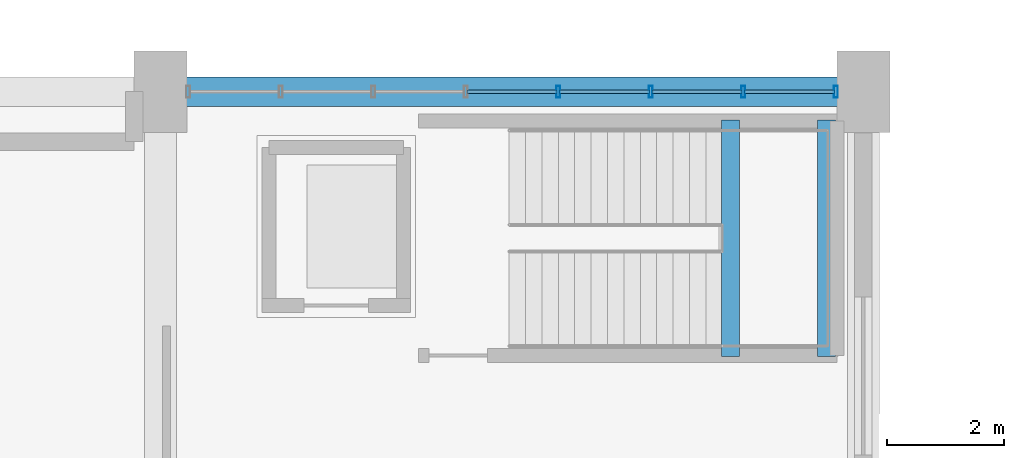
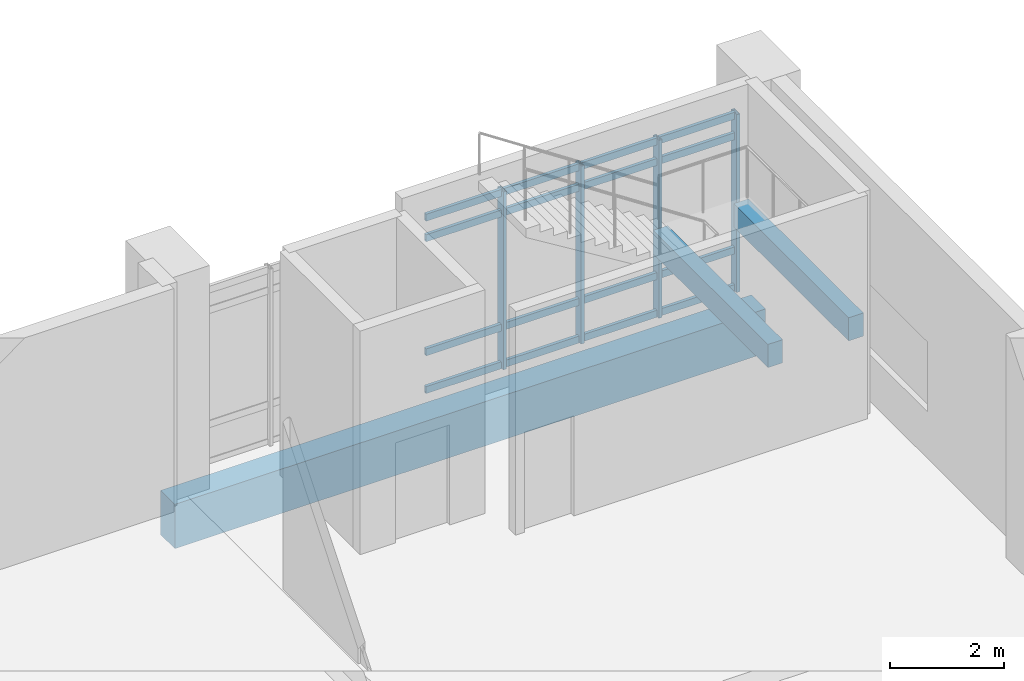
# One storey, part 28 of 87: 20 members, 3 beams, 1 element without a shape of its own.
"""IFC4 building model written with IfcOpenShell, lengths in metres."""

from ifc_helpers import new_model, si_unit, direction, frame, origin, origin_2d, place, context, subcontext, project, spatial, rectangle, hollow_rectangle, extrude, material, layer, layer_set, material_profile, profile_set, type_object, element, aggregate, save


model = new_model("IFC4")

# Units and contexts
model_context = context("Model", 3, precision=1e-05, world=origin(), true_north=direction((0.0, 1.0)))
body_context = subcontext(model_context, "Body", "Model", "MODEL_VIEW")
ifc_project = project(units=[si_unit("LENGTHUNIT", "METRE"), si_unit("AREAUNIT", "SQUARE_METRE"), si_unit("VOLUMEUNIT", "CUBIC_METRE"), si_unit("PLANEANGLEUNIT", "RADIAN"), si_unit("MASSUNIT", "GRAM", prefix="KILO")], contexts=[model_context])

# Site, building, storey
site_placement = place(None, origin())
site = spatial("IfcSite", under=ifc_project, at=site_placement, CompositionType="ELEMENT")
building_placement = place(site_placement, origin())
building = spatial("IfcBuilding", under=site, at=building_placement, Name="Mersad Railyard Sports Hall", CompositionType="ELEMENT")
storey_placement = place(building_placement, origin())
storey = spatial("IfcBuildingStorey", under=building, at=storey_placement, Name="L00", CompositionType="ELEMENT", Elevation=0.0)

# Curtain wall, members
ifc_material_1 = material(Name="Aluminium 6063-T6", Category="aluminium")
ifc_layer = layer(ifc_material_1, 0.199951171875)
ifc_layer_set = layer_set([ifc_layer], Name="Aluminium 6063-T6")
curtain_wall_type = type_object("IfcCurtainWallType", Name="ARC-CW-CW01", PredefinedType="USERDEFINED", material=ifc_layer_set)
curtain_wall_placement = place(storey_placement, origin())
curtain_wall = element("IfcCurtainWall", 1, at=curtain_wall_placement, inside=storey, type_object=curtain_wall_type, Name="Curtain wall CW01-0021", ObjectType="CURTAIN WALL", PredefinedType="USERDEFINED")
ifc_material_profile_1 = material_profile(ifc_material_1, hollow_rectangle(XDim=0.06494140625, YDim=0.199951171875, WallThickness=0.0048828125, at=origin_2d()), Name="AL MULLION 65x200x5")
ifc_profile_set_1 = profile_set([ifc_material_profile_1], Name="Aluminium 6063-T6")
member_type_1 = type_object("IfcMemberType", Name="ARC-CW-MUL02", PredefinedType="MULLION", material=ifc_profile_set_1)
member_1_placement = place(storey_placement, frame((85.7900390625, 53.5, -0.02001953125), z_axis=(0.0, 0.0, 1.0), x_axis=(1.0, 0.0, 0.0)))
member_1 = element("IfcMember", 2, at=member_1_placement, type_object=member_type_1, Name="CW01 Mullion 5", PredefinedType="MULLION", context=body_context, shape_type="SweptSolid", body=[
    extrude(hollow_rectangle(XDim=0.06494140625, YDim=0.199951171875, WallThickness=0.0048828125, at=origin_2d()), origin(), (0.0, 0.0, 1.0), 3.820068359375),
])
member_2_placement = place(storey_placement, frame((87.3701171875, 53.5, -0.02001953125), z_axis=(0.0, 0.0, 1.0), x_axis=(1.0, 0.0, 0.0)))
member_2 = element("IfcMember", 3, at=member_2_placement, type_object=member_type_1, Name="CW01 Mullion 6", PredefinedType="MULLION", context=body_context, shape_type="SweptSolid", body=[
    extrude(hollow_rectangle(XDim=0.06494140625, YDim=0.199951171875, WallThickness=0.0048828125, at=origin_2d()), origin(), (0.0, 0.0, 1.0), 3.820068359375),
])
member_3_placement = place(storey_placement, frame((88.949951171875, 53.5, -0.02001953125), z_axis=(0.0, 0.0, 1.0), x_axis=(1.0, 0.0, 0.0)))
member_3 = element("IfcMember", 4, at=member_3_placement, type_object=member_type_1, Name="CW01 Mullion 7", PredefinedType="MULLION", context=body_context, shape_type="SweptSolid", body=[
    extrude(hollow_rectangle(XDim=0.06494140625, YDim=0.199951171875, WallThickness=0.0048828125, at=origin_2d()), origin(), (0.0, 0.0, 1.0), 3.820068359375),
])
member_4_placement = place(storey_placement, frame((90.530029296875, 53.5, -0.02001953125), z_axis=(0.0, 0.0, 1.0), x_axis=(1.0, 0.0, 0.0)))
member_4 = element("IfcMember", 5, at=member_4_placement, type_object=member_type_1, Name="CW01 Mullion 8", PredefinedType="MULLION", context=body_context, shape_type="SweptSolid", body=[
    extrude(hollow_rectangle(XDim=0.06494140625, YDim=0.199951171875, WallThickness=0.0048828125, at=origin_2d()), origin(), (0.0, 0.0, 1.0), 3.820068359375),
])
ifc_material_profile_2 = material_profile(ifc_material_1, hollow_rectangle(XDim=0.06494140625, YDim=0.14990234375, WallThickness=0.00439453125, at=origin_2d()), Name="AL TRANSOM 65x150x4.5")
ifc_profile_set_2 = profile_set([ifc_material_profile_2], Name="Aluminium 6063-T6")
member_type_2 = type_object("IfcMemberType", Name="ARC-CW-TRN02", PredefinedType="USERDEFINED", material=ifc_profile_set_2)
member_5_placement = place(storey_placement, frame((84.22998046875, 53.5, 0.0400390625), z_axis=(1.0, 0.0, 0.0), x_axis=(0.0, 1.0, 0.0)))
member_5 = element("IfcMember", 6, at=member_5_placement, type_object=member_type_2, Name="CW01 Transom 1-4", ObjectType="TRANSOM", PredefinedType="USERDEFINED", context=body_context, shape_type="SweptSolid", body=[
    extrude(hollow_rectangle(XDim=0.06494140625, YDim=0.14990234375, WallThickness=0.00439453125, at=origin_2d()), origin(), (0.0, 0.0, 1.0), 1.5400390625),
])
member_6_placement = place(storey_placement, frame((85.81005859375, 53.5, 0.0400390625), z_axis=(1.0, 0.0, 0.0), x_axis=(0.0, 1.0, 0.0)))
member_6 = element("IfcMember", 7, at=member_6_placement, type_object=member_type_2, Name="CW01 Transom 1-5", ObjectType="TRANSOM", PredefinedType="USERDEFINED", context=body_context, shape_type="SweptSolid", body=[
    extrude(hollow_rectangle(XDim=0.06494140625, YDim=0.14990234375, WallThickness=0.00439453125, at=origin_2d()), origin(), (0.0, 0.0, 1.0), 1.5400390625),
])
member_7_placement = place(storey_placement, frame((87.389892578125, 53.5, 0.0400390625), z_axis=(1.0, 0.0, 0.0), x_axis=(0.0, 1.0, 0.0)))
member_7 = element("IfcMember", 8, at=member_7_placement, type_object=member_type_2, Name="CW01 Transom 1-6", ObjectType="TRANSOM", PredefinedType="USERDEFINED", context=body_context, shape_type="SweptSolid", body=[
    extrude(hollow_rectangle(XDim=0.06494140625, YDim=0.14990234375, WallThickness=0.00439453125, at=origin_2d()), origin(), (0.0, 0.0, 1.0), 1.5400390625),
])
member_8_placement = place(storey_placement, frame((88.969970703125, 53.5, 0.0400390625), z_axis=(1.0, 0.0, 0.0), x_axis=(0.0, 1.0, 0.0)))
member_8 = element("IfcMember", 9, at=member_8_placement, type_object=member_type_2, Name="CW01 Transom 1-7", ObjectType="TRANSOM", PredefinedType="USERDEFINED", context=body_context, shape_type="SweptSolid", body=[
    extrude(hollow_rectangle(XDim=0.06494140625, YDim=0.14990234375, WallThickness=0.00439453125, at=origin_2d()), origin(), (0.0, 0.0, 1.0), 1.5400390625),
])
member_9_placement = place(storey_placement, frame((84.22998046875, 53.5, 0.85009765625), z_axis=(1.0, 0.0, 0.0), x_axis=(0.0, 1.0, 0.0)))
member_9 = element("IfcMember", 10, at=member_9_placement, type_object=member_type_2, Name="CW01 Transom 2-4", ObjectType="TRANSOM", PredefinedType="USERDEFINED", context=body_context, shape_type="SweptSolid", body=[
    extrude(hollow_rectangle(XDim=0.06494140625, YDim=0.14990234375, WallThickness=0.00439453125, at=origin_2d()), origin(), (0.0, 0.0, 1.0), 1.5400390625),
])
member_10_placement = place(storey_placement, frame((85.81005859375, 53.5, 0.85009765625), z_axis=(1.0, 0.0, 0.0), x_axis=(0.0, 1.0, 0.0)))
member_10 = element("IfcMember", 11, at=member_10_placement, type_object=member_type_2, Name="CW01 Transom 2-5", ObjectType="TRANSOM", PredefinedType="USERDEFINED", context=body_context, shape_type="SweptSolid", body=[
    extrude(hollow_rectangle(XDim=0.06494140625, YDim=0.14990234375, WallThickness=0.00439453125, at=origin_2d()), origin(), (0.0, 0.0, 1.0), 1.5400390625),
])
member_11_placement = place(storey_placement, frame((87.389892578125, 53.5, 0.85009765625), z_axis=(1.0, 0.0, 0.0), x_axis=(0.0, 1.0, 0.0)))
member_11 = element("IfcMember", 12, at=member_11_placement, type_object=member_type_2, Name="CW01 Transom 2-6", ObjectType="TRANSOM", PredefinedType="USERDEFINED", context=body_context, shape_type="SweptSolid", body=[
    extrude(hollow_rectangle(XDim=0.06494140625, YDim=0.14990234375, WallThickness=0.00439453125, at=origin_2d()), origin(), (0.0, 0.0, 1.0), 1.5400390625),
])
member_12_placement = place(storey_placement, frame((88.969970703125, 53.5, 0.85009765625), z_axis=(1.0, 0.0, 0.0), x_axis=(0.0, 1.0, 0.0)))
member_12 = element("IfcMember", 13, at=member_12_placement, type_object=member_type_2, Name="CW01 Transom 2-7", ObjectType="TRANSOM", PredefinedType="USERDEFINED", context=body_context, shape_type="SweptSolid", body=[
    extrude(hollow_rectangle(XDim=0.06494140625, YDim=0.14990234375, WallThickness=0.00439453125, at=origin_2d()), origin(), (0.0, 0.0, 1.0), 1.5400390625),
])
member_13_placement = place(storey_placement, frame((84.22998046875, 53.5, 3.300048828125), z_axis=(1.0, 0.0, 0.0), x_axis=(0.0, 1.0, 0.0)))
member_13 = element("IfcMember", 14, at=member_13_placement, type_object=member_type_2, Name="CW01 Transom 3-4", ObjectType="TRANSOM", PredefinedType="USERDEFINED", context=body_context, shape_type="SweptSolid", body=[
    extrude(hollow_rectangle(XDim=0.06494140625, YDim=0.14990234375, WallThickness=0.00439453125, at=origin_2d()), origin(), (0.0, 0.0, 1.0), 1.5400390625),
])
member_14_placement = place(storey_placement, frame((85.81005859375, 53.5, 3.300048828125), z_axis=(1.0, 0.0, 0.0), x_axis=(0.0, 1.0, 0.0)))
member_14 = element("IfcMember", 15, at=member_14_placement, type_object=member_type_2, Name="CW01 Transom 3-5", ObjectType="TRANSOM", PredefinedType="USERDEFINED", context=body_context, shape_type="SweptSolid", body=[
    extrude(hollow_rectangle(XDim=0.06494140625, YDim=0.14990234375, WallThickness=0.00439453125, at=origin_2d()), origin(), (0.0, 0.0, 1.0), 1.5400390625),
])
member_15_placement = place(storey_placement, frame((87.389892578125, 53.5, 3.300048828125), z_axis=(1.0, 0.0, 0.0), x_axis=(0.0, 1.0, 0.0)))
member_15 = element("IfcMember", 16, at=member_15_placement, type_object=member_type_2, Name="CW01 Transom 3-6", ObjectType="TRANSOM", PredefinedType="USERDEFINED", context=body_context, shape_type="SweptSolid", body=[
    extrude(hollow_rectangle(XDim=0.06494140625, YDim=0.14990234375, WallThickness=0.00439453125, at=origin_2d()), origin(), (0.0, 0.0, 1.0), 1.5400390625),
])
member_16_placement = place(storey_placement, frame((88.969970703125, 53.5, 3.300048828125), z_axis=(1.0, 0.0, 0.0), x_axis=(0.0, 1.0, 0.0)))
member_16 = element("IfcMember", 17, at=member_16_placement, type_object=member_type_2, Name="CW01 Transom 3-7", ObjectType="TRANSOM", PredefinedType="USERDEFINED", context=body_context, shape_type="SweptSolid", body=[
    extrude(hollow_rectangle(XDim=0.06494140625, YDim=0.14990234375, WallThickness=0.00439453125, at=origin_2d()), origin(), (0.0, 0.0, 1.0), 1.5400390625),
])
member_17_placement = place(storey_placement, frame((84.22998046875, 53.5, 3.739990234375), z_axis=(1.0, 0.0, 0.0), x_axis=(0.0, 1.0, 0.0)))
member_17 = element("IfcMember", 18, at=member_17_placement, type_object=member_type_2, Name="CW01 Transom 4-4", ObjectType="TRANSOM", PredefinedType="USERDEFINED", context=body_context, shape_type="SweptSolid", body=[
    extrude(hollow_rectangle(XDim=0.06494140625, YDim=0.14990234375, WallThickness=0.00439453125, at=origin_2d()), origin(), (0.0, 0.0, 1.0), 1.5400390625),
])
member_18_placement = place(storey_placement, frame((85.81005859375, 53.5, 3.739990234375), z_axis=(1.0, 0.0, 0.0), x_axis=(0.0, 1.0, 0.0)))
member_18 = element("IfcMember", 19, at=member_18_placement, type_object=member_type_2, Name="CW01 Transom 4-5", ObjectType="TRANSOM", PredefinedType="USERDEFINED", context=body_context, shape_type="SweptSolid", body=[
    extrude(hollow_rectangle(XDim=0.06494140625, YDim=0.14990234375, WallThickness=0.00439453125, at=origin_2d()), origin(), (0.0, 0.0, 1.0), 1.5400390625),
])
member_19_placement = place(storey_placement, frame((87.389892578125, 53.5, 3.739990234375), z_axis=(1.0, 0.0, 0.0), x_axis=(0.0, 1.0, 0.0)))
member_19 = element("IfcMember", 20, at=member_19_placement, type_object=member_type_2, Name="CW01 Transom 4-6", ObjectType="TRANSOM", PredefinedType="USERDEFINED", context=body_context, shape_type="SweptSolid", body=[
    extrude(hollow_rectangle(XDim=0.06494140625, YDim=0.14990234375, WallThickness=0.00439453125, at=origin_2d()), origin(), (0.0, 0.0, 1.0), 1.5400390625),
])
member_20_placement = place(storey_placement, frame((88.969970703125, 53.5, 3.739990234375), z_axis=(1.0, 0.0, 0.0), x_axis=(0.0, 1.0, 0.0)))
member_20 = element("IfcMember", 21, at=member_20_placement, type_object=member_type_2, Name="CW01 Transom 4-7", ObjectType="TRANSOM", PredefinedType="USERDEFINED", context=body_context, shape_type="SweptSolid", body=[
    extrude(hollow_rectangle(XDim=0.06494140625, YDim=0.14990234375, WallThickness=0.00439453125, at=origin_2d()), origin(), (0.0, 0.0, 1.0), 1.5400390625),
])
aggregate(curtain_wall, [member_1, member_2, member_3, member_4, member_5, member_6, member_7, member_8, member_9, member_10, member_11, member_12, member_13, member_14, member_15, member_16, member_17, member_18, member_19, member_20])

# Beams
ifc_material_2 = material(Name="Concrete C50/60", Category="concrete")
ifc_material_profile_3 = material_profile(ifc_material_2, rectangle(XDim=0.5, YDim=0.949951171875, at=origin_2d()), Name="RC 500x950")
ifc_profile_set_3 = profile_set([ifc_material_profile_3], Name="Concrete C50/60")
beam_type_1 = type_object("IfcBeamType", Name="STR-BM-B03", PredefinedType="BEAM", material=ifc_profile_set_3)
beam_placement = place(storey_placement, frame((79.0, 53.5, -0.925048828125), z_axis=(1.0, 0.0, 0.0), x_axis=(0.0, 1.0, 0.0)))
element("IfcBeam", 22, at=beam_placement, inside=storey, type_object=beam_type_1, Name="Beam B03-0028", PredefinedType="BEAM", context=body_context, shape_type="SweptSolid", body=[
    extrude(rectangle(XDim=0.5, YDim=0.949951171875, at=origin_2d()), origin(), (0.0, 0.0, 1.0), 12.0),
])
ifc_material_3 = material(Name="Concrete C40/50", Category="concrete")
ifc_material_profile_4 = material_profile(ifc_material_3, rectangle(XDim=0.300048828125, YDim=0.5, at=origin_2d()), Name="RC 300x500")
ifc_profile_set_4 = profile_set([ifc_material_profile_4], Name="Concrete C40/50")
beam_type_2 = type_object("IfcBeamType", Name="STR-BM-LN01", PredefinedType="LINTEL", material=ifc_profile_set_4)
for number, where, z_axis, x_axis, name in (
    (23, (88.72998046875, 48.97998046875, 1.969970703125), (0.0, 1.0, 0.0), (-1.0, 0.0, 0.0), "Stair ST08A landing beam W"),
    (24, (90.3701171875, 48.97998046875, 1.969970703125), (0.0, 1.0, 0.0), (-1.0, 0.0, 0.0), "Stair ST08A landing beam E"),
):
    element("IfcBeam", number, at=place(storey_placement, frame(where, z_axis=z_axis, x_axis=x_axis)), inside=storey, type_object=beam_type_2, Name=name, PredefinedType="LINTEL", context=body_context, shape_type="SweptSolid", body=[
        extrude(rectangle(XDim=0.300048828125, YDim=0.5, at=origin_2d()), origin(), (0.0, 0.0, 1.0), 4.0400390625),
    ])

save(model, "model.ifc")
